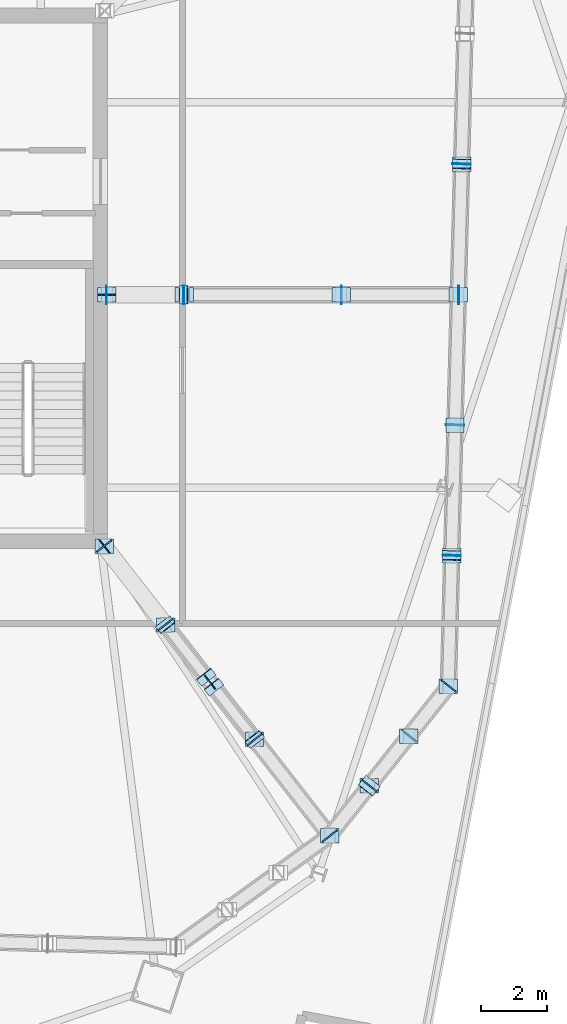
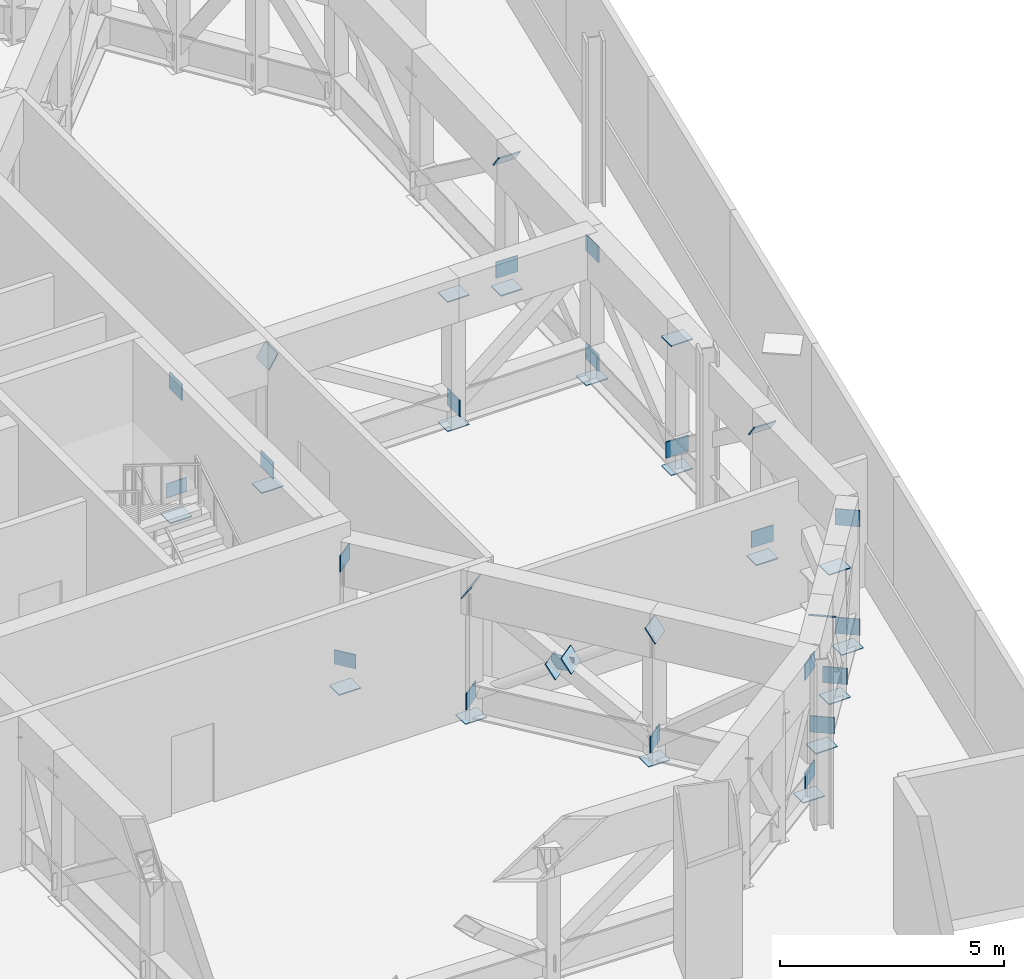
# One storey, part 8 of 15: 45 plates.
"""IFC4 building model written with IfcOpenShell, lengths in metres."""

from ifc_helpers import new_model, si_unit, direction, frame, origin, origin_2d, place, context, subcontext, project, spatial, rectangle, extrude, source, transform, mapped, material, layer, layer_set, type_object, element, save


model = new_model("IFC4")

# Units and contexts
model_context = context("Model", 3, precision=1e-05, world=origin(), true_north=direction((0.0, 1.0)))
body_context = subcontext(model_context, "Body", "Model", "MODEL_VIEW")
ifc_project = project(units=[si_unit("LENGTHUNIT", "METRE"), si_unit("AREAUNIT", "SQUARE_METRE"), si_unit("VOLUMEUNIT", "CUBIC_METRE"), si_unit("PLANEANGLEUNIT", "RADIAN"), si_unit("MASSUNIT", "GRAM", prefix="KILO")], contexts=[model_context])

# Site, building, storey
site_placement = place(None, origin())
site = spatial("IfcSite", under=ifc_project, at=site_placement, CompositionType="ELEMENT")
building_placement = place(site_placement, origin())
building = spatial("IfcBuilding", under=site, at=building_placement, Name="Haldenkirk Collegiate Tower", CompositionType="ELEMENT")
storey_placement = place(building_placement, frame((0.0, 0.0, 293.699951171875)))
storey = spatial("IfcBuildingStorey", under=building, at=storey_placement, Name="L74", CompositionType="ELEMENT", Elevation=293.699951171875)

# Plates
ifc_material = material(Name="Steel ASTM A572 Grade 50", Category="steel")
ifc_layer_1 = layer(ifc_material, 0.028076171875)
ifc_layer_set_1 = layer_set([ifc_layer_1], Name="Steel ASTM A572 Grade 50")
plate_type_1 = type_object("IfcPlateType", Name="PLT-CAP-INT-560X440", PredefinedType="USERDEFINED", material=ifc_layer_set_1)
shared_shape_1 = source(origin(), body_context, "Body", "SweptSolid", [
    extrude(rectangle(XDim=0.56005859375, YDim=0.43994140625, at=origin_2d()), origin(), (0.0, 0.0, 1.0), 0.028076171875),
])
for number, where, z_axis, x_axis, name in (
    (1, (45.124755859375, 17.83984375, 3.5), (-0.614352037805, 0.789032048554, 0.0), (-0.789032048554, -0.614352037805, 0.0), "Outrigger Truss L74 Radial 01 top chord 1 end cap plate 1"),
    (2, (46.9873046875, 15.44775390625, 0.550048828125), (-0.614341311508, 0.789040400091, 0.0), (-0.789040400091, -0.614341311508, 0.0), "Outrigger Truss L74 Radial 01 bottom chord 2 end plate 1"),
    (3, (49.68994140625, 11.9765625, 0.550048828125), (0.614341311508, -0.789040400091, 0.0), (0.789040400091, 0.614341311508, 0.0), "Outrigger Truss L74 Radial 01 bottom chord 2 end plate 2"),
    (4, (46.987060546875, 15.447998046875, 3.498291015625), (-0.510439905121, 0.655605878139, 0.55644589657), (-0.789046537104, -0.614333429242, -4.17269e-07), "Outrigger Truss L74 Radial 01 web diagonal 2 end cap plate 1"),
    (5, (48.214599609375, 13.87158203125, 1.889892578125), (0.510407004458, -0.655628005726, 0.55645000486), (0.789075401406, 0.614296354292, 5.06364e-07), "Outrigger Truss L74 Radial 01 split X-brace diagonal 2A end cap plate 2"),
    (6, (48.46240234375, 13.552734375, 2.16015625), (-0.510452144557, 0.655590185659, -0.556453157584), (-0.789032081844, -0.61435199505, -3.629e-08), "Outrigger Truss L74 Radial 01 split X-brace diagonal 2B end cap plate 1"),
    (7, (49.690185546875, 11.976318359375, 3.498291015625), (0.510452144557, -0.655590185659, 0.556453157584), (0.789032081844, 0.61435199505, 3.629e-08), "Outrigger Truss L74 Radial 01 split X-brace diagonal 2B end cap plate 2"),
    (8, (51.974365234375, 9.04248046875, 3.5), (0.614343041416, -0.789039053193, 0.0), (0.789039053193, 0.614343041416, 0.0), "Outrigger Truss L74 Radial 01 top chord 3 end cap plate 2"),
    (9, (51.974365234375, 9.04248046875, 0.550048828125), (0.614341311508, -0.789040400091, 0.0), (0.789040400091, 0.614341311508, 0.0), "Outrigger Truss L74 Radial 01 bottom chord 3 end plate 2"),
    (10, (45.122802734375, 17.84228515625, 0.0029296875), (0.0, 0.0, -1.0), (1.0, 0.0, 0.0), "Outrigger Truss L74 Radial 01 vertical post 1 end cap plate 1"),
    (11, (46.985595703125, 15.449951171875, 0.0029296875), (0.0, 0.0, -1.0), (1.0, 0.0, 0.0), "Outrigger Truss L74 Radial 01 vertical post 2 end cap plate 1"),
    (12, (49.691650390625, 11.974365234375, 0.0029296875), (0.0, 0.0, -1.0), (1.0, 0.0, 0.0), "Outrigger Truss L74 Radial 01 vertical post 3 end cap plate 1"),
    (13, (51.97607421875, 9.040283203125, 0.0029296875), (0.0, 0.0, -1.0), (1.0, 0.0, 0.0), "Outrigger Truss L74 Radial 01 vertical post 4 end cap plate 1"),
    (14, (45.203125, 25.496337890625, 3.5), (-1.0, 0.0, 0.0), (0.0, -1.0, 0.0), "Outrigger Truss L74 Radial 05 top chord 1 end cap plate 1"),
    (15, (47.55322265625, 25.496337890625, 0.550048828125), (-1.0, 0.0, 0.0), (0.0, -1.0, 0.0), "Outrigger Truss L74 Radial 05 bottom chord 2 end plate 1"),
    (16, (52.326171875, 25.496337890625, 0.550048828125), (1.0, 0.0, 0.0), (0.0, 1.0, 0.0), "Outrigger Truss L74 Radial 05 bottom chord 2 end plate 2"),
    (17, (47.552490234375, 25.496337890625, 3.49853515625), (-0.850941126109, 0.0, 0.525261077843), (0.0, -1.0, 0.0), "Outrigger Truss L74 Radial 05 web diagonal 2 end cap plate 1"),
    (18, (55.890625, 25.496337890625, 3.5), (1.0, 0.0, 0.0), (0.0, 1.0, 0.0), "Outrigger Truss L74 Radial 05 top chord 3 end cap plate 2"),
    (19, (55.890625, 25.496337890625, 0.550048828125), (1.0, 0.0, 0.0), (0.0, 1.0, 0.0), "Outrigger Truss L74 Radial 05 bottom chord 3 end plate 2"),
    (20, (45.199951171875, 25.496337890625, 0.0029296875), (0.0, 0.0, -1.0), (1.0, 0.0, 0.0), "Outrigger Truss L74 Radial 05 vertical post 1 end cap plate 1"),
    (21, (47.550048828125, 25.496337890625, 0.0029296875), (0.0, 0.0, -1.0), (1.0, 0.0, 0.0), "Outrigger Truss L74 Radial 05 vertical post 2 end cap plate 1"),
    (22, (52.3291015625, 25.496337890625, 0.0029296875), (0.0, 0.0, -1.0), (1.0, 0.0, 0.0), "Outrigger Truss L74 Radial 05 vertical post 3 end cap plate 1"),
    (23, (52.3291015625, 25.496337890625, 3.4970703125), (0.0, 0.0, 1.0), (1.0, 0.0, 0.0), "Outrigger Truss L74 Radial 05 vertical post 3 end cap plate 2"),
    (24, (55.8935546875, 25.496337890625, 0.0029296875), (0.0, 0.0, -1.0), (1.0, 0.0, 0.0), "Outrigger Truss L74 Radial 05 vertical post 4 end cap plate 1"),
    (25, (53.179443359375, 10.552734375, 0.550048828125), (0.622687622905, 0.782470526142, 0.0), (-0.782470526142, 0.622687622905, 0.0), "Belt Truss L74-01 bottom chord 1 end plate 2"),
    (26, (53.180419921875, 10.5537109375, 3.49755859375), (0.341625066923, 0.429285084096, 0.836066163783), (-0.782468948549, 0.622689605307, -4.21816e-07), "Belt Truss L74-01 web diagonal 1 end cap plate 2"),
    (27, (54.384765625, 12.067138671875, 0.550048828125), (0.622687622905, 0.782470526142, 0.0), (-0.782470526142, 0.622687622905, 0.0), "Belt Truss L74-01 bottom chord 2 end plate 2"),
    (28, (55.590087890625, 13.58203125, 3.5), (0.622689821892, 0.78246877619, 0.0), (-0.78246877619, 0.622689821892, 0.0), "Belt Truss L74-01 top chord 3 end cap plate 2"),
    (29, (55.590087890625, 13.58203125, 0.550048828125), (0.622687622905, 0.782470526142, 0.0), (-0.782470526142, 0.622687622905, 0.0), "Belt Truss L74-01 bottom chord 3 end plate 2"),
    (30, (53.181396484375, 10.554931640625, 0.0029296875), (0.0, 0.0, -1.0), (1.0, 0.0, 0.0), "Belt Truss L74-01 vertical post 2 end cap plate 1"),
    (31, (54.38671875, 12.069580078125, 0.0029296875), (0.0, 0.0, -1.0), (1.0, 0.0, 0.0), "Belt Truss L74-01 vertical post 3 end cap plate 1"),
    (32, (54.38671875, 12.069580078125, 3.4970703125), (0.0, 0.0, 1.0), (1.0, 0.0, 0.0), "Belt Truss L74-01 vertical post 3 end cap plate 2"),
    (33, (55.592041015625, 13.584228515625, 0.0029296875), (0.0, 0.0, -1.0), (1.0, 0.0, 0.0), "Belt Truss L74-01 vertical post 4 end cap plate 1"),
    (34, (55.692626953125, 17.552001953125, 0.550048828125), (0.025301996286, 0.999679853245, 0.0), (-0.999679853245, 0.025301996286, 0.0), "Belt Truss L74-02 bottom chord 1 end plate 2"),
    (35, (55.692626953125, 17.552490234375, 3.498291015625), (0.020312991874, 0.802545678938, 0.596244761469), (-0.999679843476, 0.025302382268, 2.86763e-07), "Belt Truss L74-02 web diagonal 1 end cap plate 2"),
    (36, (55.793212890625, 21.522705078125, 0.550048828125), (0.025301996286, 0.999679853245, 0.0), (-0.999679853245, 0.025301996286, 0.0), "Belt Truss L74-02 bottom chord 2 end plate 2"),
    (37, (55.692626953125, 17.554931640625, 0.0029296875), (0.0, 0.0, -1.0), (1.0, 0.0, 0.0), "Belt Truss L74-02 vertical post 2 end cap plate 1"),
    (38, (55.793212890625, 21.525634765625, 0.0029296875), (0.0, 0.0, -1.0), (1.0, 0.0, 0.0), "Belt Truss L74-02 vertical post 3 end cap plate 1"),
    (39, (55.793212890625, 21.525634765625, 3.4970703125), (0.0, 0.0, 1.0), (1.0, 0.0, 0.0), "Belt Truss L74-02 vertical post 3 end cap plate 2"),
    (40, (55.994140625, 29.464111328125, 0.550048828125), (0.02530999116, 0.999679650862, 0.0), (-0.999679650862, 0.02530999116, 0.0), "Belt Truss L74-03 bottom chord 1 end plate 2"),
    (41, (55.994140625, 29.464599609375, 3.498291015625), (0.020312991874, 0.802545678938, 0.596244761469), (-0.999679843476, 0.025302382268, 2.86763e-07), "Belt Truss L74-03 web diagonal 1 end cap plate 2"),
    (42, (55.994140625, 29.467041015625, 0.0029296875), (0.0, 0.0, -1.0), (1.0, 0.0, 0.0), "Belt Truss L74-03 vertical post 2 end cap plate 1"),
):
    element("IfcPlate", number, at=place(storey_placement, frame(where, z_axis=z_axis, x_axis=x_axis)), inside=storey, type_object=plate_type_1, Name=name, ObjectType="END CAP PLATE", PredefinedType="USERDEFINED", context=body_context, shape_type="MappedRepresentation", body=[
        mapped(shared_shape_1, transform((0.0, 0.0, 0.0), x_axis=(1.0, 0.0, 0.0), y_axis=(0.0, 1.0, 0.0), z_axis=(0.0, 0.0, 1.0), scale=1.0)),
    ])
ifc_layer_2 = layer(ifc_material, 0.031982421875)
ifc_layer_set_2 = layer_set([ifc_layer_2], Name="Steel ASTM A572 Grade 50")
plate_type_2 = type_object("IfcPlateType", Name="PLT-GUSSET-INT-520X380", PredefinedType="USERDEFINED", material=ifc_layer_set_2)
shared_shape_2 = source(origin(), body_context, "Body", "SweptSolid", [
    extrude(rectangle(XDim=0.52001953125, YDim=0.031982421875, at=origin_2d()), origin(), (0.0, 0.0, 1.0), 0.3798828125),
])
for number, where, z_axis, x_axis, name in (
    (43, (48.33837890625, 13.712158203125, 1.835205078125), (0.0, 0.0, 1.0), (0.61434145128, -0.789040291265, 0.0), "Outrigger Truss L74 Radial 01 X-brace crossing gusset plate 2"),
    (44, (45.122802734375, 17.84228515625, 0.550048828125), (0.0, 0.0, 1.0), (0.61434145128, -0.789040291265, 0.0), "Outrigger Truss L74 Radial 01 bottom node gusset plate 1"),
    (45, (45.199951171875, 25.496337890625, 0.550048828125), (0.0, 0.0, 1.0), (1.0, 0.0, 0.0), "Outrigger Truss L74 Radial 05 bottom node gusset plate 1"),
):
    element("IfcPlate", number, at=place(storey_placement, frame(where, z_axis=z_axis, x_axis=x_axis)), inside=storey, type_object=plate_type_2, Name=name, ObjectType="GUSSET PLATE", PredefinedType="USERDEFINED", context=body_context, shape_type="MappedRepresentation", body=[
        mapped(shared_shape_2, transform((0.0, 0.0, 0.0), x_axis=(1.0, 0.0, 0.0), y_axis=(0.0, 1.0, 0.0), z_axis=(0.0, 0.0, 1.0), scale=1.0)),
    ])

save(model, "model.ifc")
